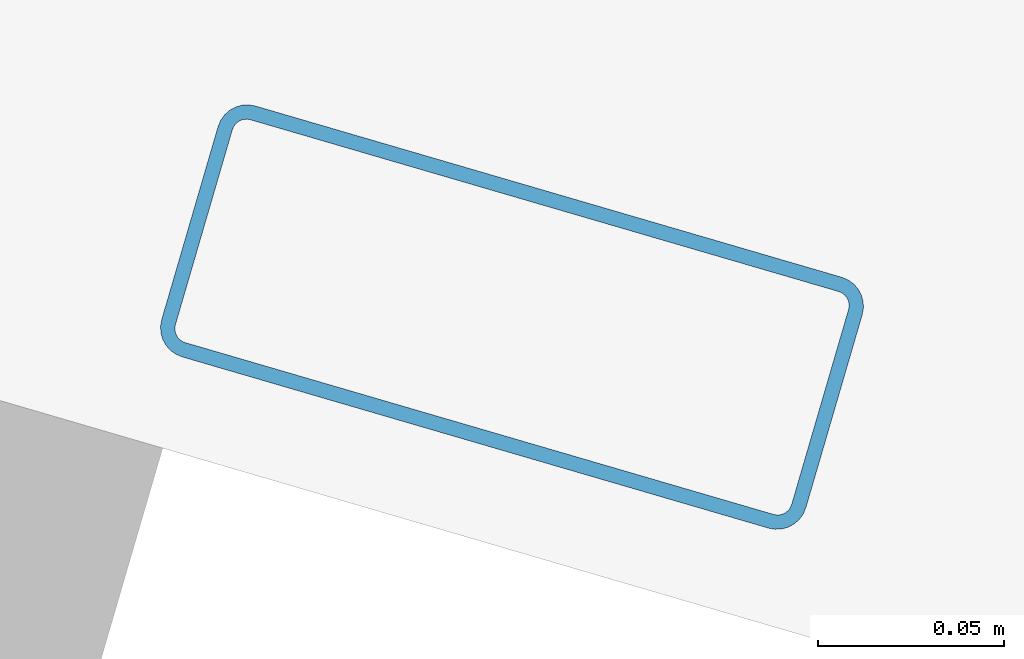
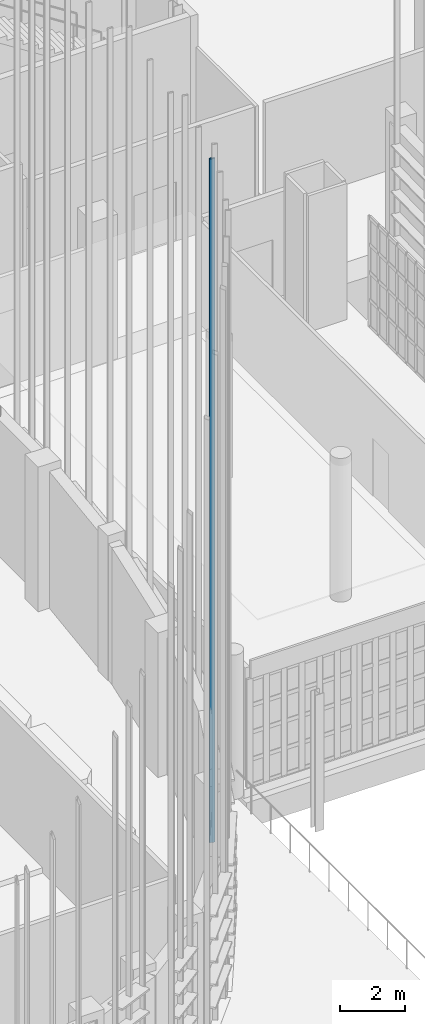
# One storey, part 105 of 372: 1 member.
"""IFC4 building model written with IfcOpenShell, lengths in metres."""

import ifcopenshell
import ifcopenshell.guid

model = None  # the IFC model being written
_history = None  # IfcOwnerHistory: only IFC2X3 demands one
_inside = {}  # id of a spatial element -> (the spatial element, [elements in it])
_under = {}  # id of a project, library or spatial element -> (it, [spatial elements below it])
_declared = {}  # id of a project -> (the project, [libraries it declares])
_typed = {}  # id of a type object -> (the type object, [elements of that type])
_made_of = {}  # id of a material, layer set ... -> (it, [elements and type objects made of it])


def new_model(schema):
    """Start an empty IFC model of exactly this schema.

    Asked for "IFC4X3", IfcOpenShell would pick the latest addendum, in which some entities
    have other attributes; the version numbers below select the first issue.
    IFC2X3 requires an IfcOwnerHistory on every rooted entity: one is made here for all.
    """
    global model, _history
    if schema == "IFC4X3":
        model = ifcopenshell.file(schema_version=(4, 3, 0, 0))
    else:
        model = ifcopenshell.file(schema=schema)
    _inside.clear()
    _under.clear()
    _declared.clear()
    _typed.clear()
    _made_of.clear()
    _history = None
    if model.schema == "IFC2X3":
        org = make("IfcOrganization", Name="unknown")
        user = make(
            "IfcPersonAndOrganization",
            ThePerson=make("IfcPerson", FamilyName="unknown"),
            TheOrganization=org,
        )
        app = make(
            "IfcApplication",
            ApplicationDeveloper=org,
            Version="unknown",
            ApplicationFullName="unknown",
            ApplicationIdentifier="unknown",
        )
        _history = make(
            "IfcOwnerHistory",
            OwningUser=user,
            OwningApplication=app,
            ChangeAction="ADDED",
            CreationDate=0,
        )
    return model


def make(cls, **values):
    """One entity of the class cls with the attributes given. An attribute that is None is left unset."""
    return model.create_entity(
        cls, **{name: value for name, value in values.items() if value is not None}
    )


def rooted(cls, **values):
    """An entity with a GlobalId (a new one), such as an element, a storey or a relation."""
    return make(cls, GlobalId=ifcopenshell.guid.new(), OwnerHistory=_history, **values)


def si_unit(unit_type, name, prefix=None):
    """IfcSIUnit, for example si_unit("LENGTHUNIT", "METRE", prefix="MILLI")."""
    return make("IfcSIUnit", UnitType=unit_type, Prefix=prefix, Name=name)


def assignment(units):
    """IfcUnitAssignment: the units of a project."""
    return None if units is None else make("IfcUnitAssignment", Units=units)


def point(xyz):
    """IfcCartesianPoint."""
    return None if xyz is None else make("IfcCartesianPoint", Coordinates=xyz)


def direction(xyz):
    """IfcDirection."""
    return None if xyz is None else make("IfcDirection", DirectionRatios=xyz)


def frame(location, z_axis=None, x_axis=None):
    """IfcAxis2Placement3D, a coordinate frame: its origin and axes. An axis left out is left unset."""
    return make(
        "IfcAxis2Placement3D",
        Location=point(location),
        Axis=direction(z_axis),
        RefDirection=direction(x_axis),
    )


def frame_2d(location, x_axis=None):
    """IfcAxis2Placement2D, a coordinate frame in the plane: its origin and x axis."""
    return make(
        "IfcAxis2Placement2D", Location=point(location), RefDirection=direction(x_axis)
    )


def origin():
    """The frame at (0, 0, 0) with its axes left unset."""
    return frame((0.0, 0.0, 0.0))


def origin_2d():
    """The frame at (0, 0) in the plane with its x axis left unset."""
    return frame_2d((0.0, 0.0))


def place(relative_to, where):
    """IfcLocalPlacement: puts the frame where relative to a parent placement (None: the world)."""
    return make(
        "IfcLocalPlacement", PlacementRelTo=relative_to, RelativePlacement=where
    )


def context(
    kind, dimensions, precision=None, world=None, true_north=None, identifier=None
):
    """IfcGeometricRepresentationContext, for example the 3D "Model" context."""
    return make(
        "IfcGeometricRepresentationContext",
        ContextIdentifier=identifier,
        ContextType=kind,
        CoordinateSpaceDimension=dimensions,
        Precision=precision,
        WorldCoordinateSystem=world,
        TrueNorth=true_north,
    )


def subcontext(parent, identifier, kind, view, scale=None):
    """IfcGeometricRepresentationSubContext, for example "Body" below "Model"."""
    return make(
        "IfcGeometricRepresentationSubContext",
        ContextIdentifier=identifier,
        ContextType=kind,
        ParentContext=parent,
        TargetScale=scale,
        TargetView=view,
    )


def project(units=None, contexts=None):
    """IfcProject with its units and contexts."""
    return rooted(
        "IfcProject",
        Name="project",
        RepresentationContexts=contexts,
        UnitsInContext=assignment(units),
    )


def spatial(cls, under=None, at=None, **own):
    """A site, building, storey or space (cls), placed at a placement, below another one or the project."""
    s = rooted(cls, ObjectPlacement=at, **own)
    if under is not None:
        _under.setdefault(under.id(), (under, []))[1].append(s)
    return s


def profile(cls, at=None, kind="AREA", **sizes):
    """A parametric profile (cls). Its sizes go by their IFC names, for example OverallWidth=200.0."""
    return make(cls, ProfileType=kind, Position=at, **sizes)


def hollow_rectangle(**sizes):
    """IfcRectangleHollowProfileDef."""
    return profile("IfcRectangleHollowProfileDef", **sizes)


def extrude(swept, where, along, depth):
    """IfcExtrudedAreaSolid: the profile swept, set in the frame where, extruded along a direction by depth."""
    return make(
        "IfcExtrudedAreaSolid",
        SweptArea=swept,
        Position=where,
        ExtrudedDirection=direction(along),
        Depth=depth,
    )


def shape(context_of_items, identifier, shape_type, items):
    """IfcShapeRepresentation: the items that make up one representation, for example the "Body"."""
    return make(
        "IfcShapeRepresentation",
        ContextOfItems=context_of_items,
        RepresentationIdentifier=identifier,
        RepresentationType=shape_type,
        Items=items,
    )


def material(Name=None, Category=None):
    """IfcMaterial."""
    return make("IfcMaterial", Name=Name, Category=Category)


def material_profile(
    of_material, cross_section, Name=None, Category=None, Priority=None
):
    """IfcMaterialProfile: a cross section and its material."""
    return make(
        "IfcMaterialProfile",
        Name=Name,
        Material=of_material,
        Profile=cross_section,
        Priority=Priority,
        Category=Category,
    )


def profile_set(profiles, Name=None, composite=None):
    """IfcMaterialProfileSet."""
    return make(
        "IfcMaterialProfileSet",
        Name=Name,
        MaterialProfiles=profiles,
        CompositeProfile=composite,
    )


def made_of(thing, what):
    """Note that an element or type object is made of a material, layer set ...; save() writes the relation."""
    if what is not None:
        _made_of.setdefault(what.id(), (what, []))[1].append(thing)
    return thing


def type_object(cls, material=None, **own):
    """A type object (cls), such as IfcWallType, which elements share."""
    return made_of(rooted(cls, **own), material)


def element(
    cls,
    number,
    at=None,
    inside=None,
    cuts=None,
    type_object=None,
    material=None,
    context=None,
    identifier="Body",
    shape_type=None,
    held_by="IfcProductDefinitionShape",
    body=None,
    shapes=None,
    **own,
):
    """One element of the class cls, such as IfcWall. Its Tag is "e" and its number.

    at: its placement. inside: the storey or other place that contains it. cuts: it is an
    opening in that element (IfcRelVoidsElement). A single representation is given by context,
    identifier, shape_type and body (its items); several are given by shapes. held_by: the class
    of the entity that holds the representations. save() writes the other relations.
    """
    e = rooted(cls, Tag="e%d" % number, ObjectPlacement=at, **own)
    if body is not None:
        shapes = [shape(context, identifier, shape_type, body)]
    if shapes is not None:
        e.Representation = make(held_by, Representations=shapes)
    if inside is not None:
        _inside.setdefault(inside.id(), (inside, []))[1].append(e)
    if cuts is not None:
        rooted(
            "IfcRelVoidsElement", RelatingBuildingElement=cuts, RelatedOpeningElement=e
        )
    if type_object is not None:
        _typed.setdefault(type_object.id(), (type_object, []))[1].append(e)
    return made_of(e, material)


def aggregate(whole, parts):
    """IfcRelAggregates: a whole, such as a stair, and the parts it consists of."""
    return rooted("IfcRelAggregates", RelatingObject=whole, RelatedObjects=parts)


def save(model, path):
    """Write the relations noted so far, then the file.

    IfcRelAggregates (storeys below a building ...), IfcRelContainedInSpatialStructure (elements
    in a storey), IfcRelDefinesByType, IfcRelAssociatesMaterial and IfcRelDeclares: one each for
    every whole, place, type object, material and project.
    """
    for whole, parts in _under.values():
        aggregate(whole, parts)
    for where, things in _inside.values():
        rooted(
            "IfcRelContainedInSpatialStructure",
            RelatedElements=things,
            RelatingStructure=where,
        )
    for kind, things in _typed.values():
        rooted("IfcRelDefinesByType", RelatedObjects=things, RelatingType=kind)
    for what, things in _made_of.values():
        rooted("IfcRelAssociatesMaterial", RelatedObjects=things, RelatingMaterial=what)
    for by, libraries in _declared.values():
        rooted("IfcRelDeclares", RelatingContext=by, RelatedDefinitions=libraries)
    model.write(path)


model = new_model("IFC4")

# Units and contexts
model_context = context("Model", 3, precision=1e-05, world=origin(), true_north=direction((0.0, 1.0)))
body_context = subcontext(model_context, "Body", "Model", "MODEL_VIEW")
ifc_project = project(units=[si_unit("LENGTHUNIT", "METRE"), si_unit("AREAUNIT", "SQUARE_METRE"), si_unit("VOLUMEUNIT", "CUBIC_METRE"), si_unit("PLANEANGLEUNIT", "RADIAN"), si_unit("MASSUNIT", "GRAM", prefix="KILO")], contexts=[model_context])

# Site, building, storey
site_placement = place(None, origin())
site = spatial("IfcSite", under=ifc_project, at=site_placement, CompositionType="ELEMENT")
building_placement = place(site_placement, origin())
building = spatial("IfcBuilding", under=site, at=building_placement, Name="Kaelora Sail Theatre", CompositionType="ELEMENT")
storey_placement = place(building_placement, origin())
storey = spatial("IfcBuildingStorey", under=building, at=storey_placement, Name="L00", CompositionType="ELEMENT", Elevation=0.0)

# Member
ifc_material = material(Name="Anodised aluminium 6063-T6", Category="aluminium")
ifc_material_profile = material_profile(ifc_material, hollow_rectangle(XDim=0.070068359375, YDim=0.179931640625, WallThickness=0.00390625, InnerFilletRadius=0.00390625, OuterFilletRadius=0.008056640625, at=origin_2d()), Name="ALU-MULL 70x180x4")
ifc_profile_set = profile_set([ifc_material_profile], Name="Anodised aluminium 6063-T6")
member_type = type_object("IfcMemberType", Name="ARC-MEM-PST-160", PredefinedType="POST", material=ifc_profile_set)
member_placement = place(storey_placement, frame((56.355712890625, 36.793212890625, 0.0), z_axis=(0.0, 0.0, 1.0), x_axis=(-0.280331656578, -0.959903204662, 0.0)))
element("IfcMember", 1, at=member_placement, inside=storey, type_object=member_type, Name="Main Theatre Sail Drum solar louvre vertical support post C5-3", PredefinedType="POST", context=body_context, shape_type="SweptSolid", body=[
    extrude(hollow_rectangle(XDim=0.070068359375, YDim=0.179931640625, WallThickness=0.00390625, InnerFilletRadius=0.00390625, OuterFilletRadius=0.008056640625, at=origin_2d()), origin(), (0.0, 0.0, 1.0), 25.54248046875),
])

save(model, "model.ifc")
